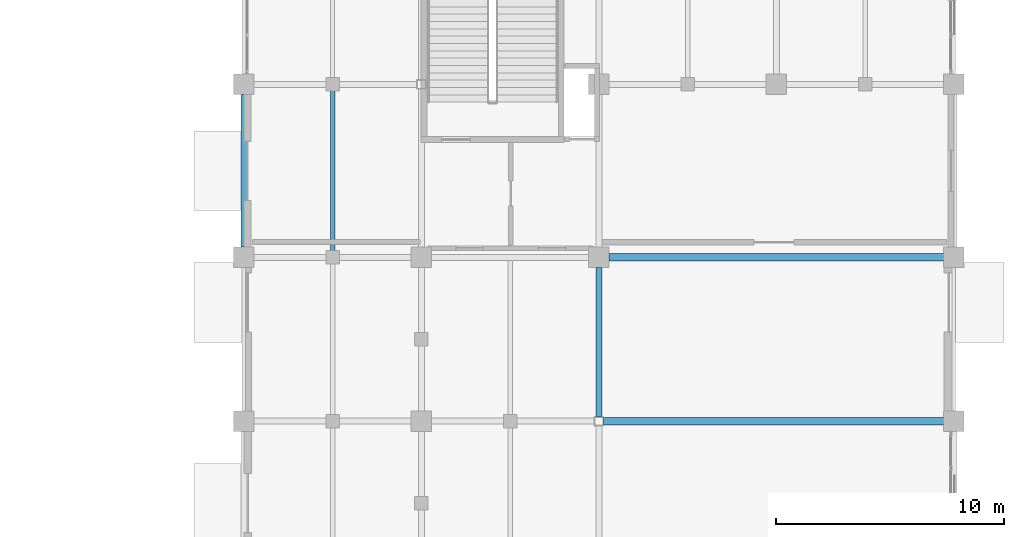
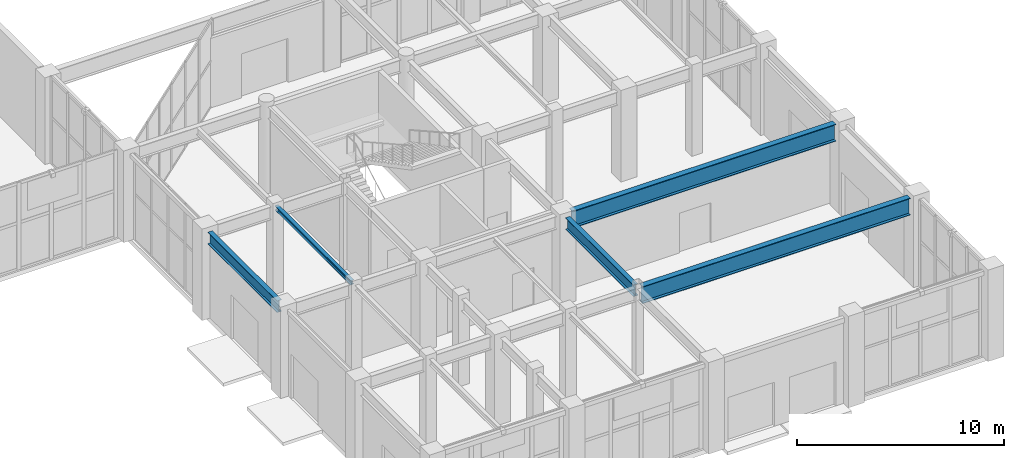
# One storey, part 80 of 139: 5 beams.
"""IFC4 building model written with IfcOpenShell, lengths in metres."""

import ifcopenshell
import ifcopenshell.guid

model = None  # the IFC model being written
_history = None  # IfcOwnerHistory: only IFC2X3 demands one
_inside = {}  # id of a spatial element -> (the spatial element, [elements in it])
_under = {}  # id of a project, library or spatial element -> (it, [spatial elements below it])
_declared = {}  # id of a project -> (the project, [libraries it declares])
_typed = {}  # id of a type object -> (the type object, [elements of that type])
_made_of = {}  # id of a material, layer set ... -> (it, [elements and type objects made of it])


def new_model(schema):
    """Start an empty IFC model of exactly this schema.

    Asked for "IFC4X3", IfcOpenShell would pick the latest addendum, in which some entities
    have other attributes; the version numbers below select the first issue.
    IFC2X3 requires an IfcOwnerHistory on every rooted entity: one is made here for all.
    """
    global model, _history
    if schema == "IFC4X3":
        model = ifcopenshell.file(schema_version=(4, 3, 0, 0))
    else:
        model = ifcopenshell.file(schema=schema)
    _inside.clear()
    _under.clear()
    _declared.clear()
    _typed.clear()
    _made_of.clear()
    _history = None
    if model.schema == "IFC2X3":
        org = make("IfcOrganization", Name="unknown")
        user = make(
            "IfcPersonAndOrganization",
            ThePerson=make("IfcPerson", FamilyName="unknown"),
            TheOrganization=org,
        )
        app = make(
            "IfcApplication",
            ApplicationDeveloper=org,
            Version="unknown",
            ApplicationFullName="unknown",
            ApplicationIdentifier="unknown",
        )
        _history = make(
            "IfcOwnerHistory",
            OwningUser=user,
            OwningApplication=app,
            ChangeAction="ADDED",
            CreationDate=0,
        )
    return model


def make(cls, **values):
    """One entity of the class cls with the attributes given. An attribute that is None is left unset."""
    return model.create_entity(
        cls, **{name: value for name, value in values.items() if value is not None}
    )


def rooted(cls, **values):
    """An entity with a GlobalId (a new one), such as an element, a storey or a relation."""
    return make(cls, GlobalId=ifcopenshell.guid.new(), OwnerHistory=_history, **values)


def si_unit(unit_type, name, prefix=None):
    """IfcSIUnit, for example si_unit("LENGTHUNIT", "METRE", prefix="MILLI")."""
    return make("IfcSIUnit", UnitType=unit_type, Prefix=prefix, Name=name)


def assignment(units):
    """IfcUnitAssignment: the units of a project."""
    return None if units is None else make("IfcUnitAssignment", Units=units)


def point(xyz):
    """IfcCartesianPoint."""
    return None if xyz is None else make("IfcCartesianPoint", Coordinates=xyz)


def direction(xyz):
    """IfcDirection."""
    return None if xyz is None else make("IfcDirection", DirectionRatios=xyz)


def frame(location, z_axis=None, x_axis=None):
    """IfcAxis2Placement3D, a coordinate frame: its origin and axes. An axis left out is left unset."""
    return make(
        "IfcAxis2Placement3D",
        Location=point(location),
        Axis=direction(z_axis),
        RefDirection=direction(x_axis),
    )


def frame_2d(location, x_axis=None):
    """IfcAxis2Placement2D, a coordinate frame in the plane: its origin and x axis."""
    return make(
        "IfcAxis2Placement2D", Location=point(location), RefDirection=direction(x_axis)
    )


def origin():
    """The frame at (0, 0, 0) with its axes left unset."""
    return frame((0.0, 0.0, 0.0))


def origin_2d():
    """The frame at (0, 0) in the plane with its x axis left unset."""
    return frame_2d((0.0, 0.0))


def place(relative_to, where):
    """IfcLocalPlacement: puts the frame where relative to a parent placement (None: the world)."""
    return make(
        "IfcLocalPlacement", PlacementRelTo=relative_to, RelativePlacement=where
    )


def context(
    kind, dimensions, precision=None, world=None, true_north=None, identifier=None
):
    """IfcGeometricRepresentationContext, for example the 3D "Model" context."""
    return make(
        "IfcGeometricRepresentationContext",
        ContextIdentifier=identifier,
        ContextType=kind,
        CoordinateSpaceDimension=dimensions,
        Precision=precision,
        WorldCoordinateSystem=world,
        TrueNorth=true_north,
    )


def subcontext(parent, identifier, kind, view, scale=None):
    """IfcGeometricRepresentationSubContext, for example "Body" below "Model"."""
    return make(
        "IfcGeometricRepresentationSubContext",
        ContextIdentifier=identifier,
        ContextType=kind,
        ParentContext=parent,
        TargetScale=scale,
        TargetView=view,
    )


def project(units=None, contexts=None):
    """IfcProject with its units and contexts."""
    return rooted(
        "IfcProject",
        Name="project",
        RepresentationContexts=contexts,
        UnitsInContext=assignment(units),
    )


def spatial(cls, under=None, at=None, **own):
    """A site, building, storey or space (cls), placed at a placement, below another one or the project."""
    s = rooted(cls, ObjectPlacement=at, **own)
    if under is not None:
        _under.setdefault(under.id(), (under, []))[1].append(s)
    return s


def profile(cls, at=None, kind="AREA", **sizes):
    """A parametric profile (cls). Its sizes go by their IFC names, for example OverallWidth=200.0."""
    return make(cls, ProfileType=kind, Position=at, **sizes)


def i_section(**sizes):
    """IfcIShapeProfileDef."""
    return profile("IfcIShapeProfileDef", **sizes)


def extrude(swept, where, along, depth):
    """IfcExtrudedAreaSolid: the profile swept, set in the frame where, extruded along a direction by depth."""
    return make(
        "IfcExtrudedAreaSolid",
        SweptArea=swept,
        Position=where,
        ExtrudedDirection=direction(along),
        Depth=depth,
    )


def shape(context_of_items, identifier, shape_type, items):
    """IfcShapeRepresentation: the items that make up one representation, for example the "Body"."""
    return make(
        "IfcShapeRepresentation",
        ContextOfItems=context_of_items,
        RepresentationIdentifier=identifier,
        RepresentationType=shape_type,
        Items=items,
    )


def material(Name=None, Category=None):
    """IfcMaterial."""
    return make("IfcMaterial", Name=Name, Category=Category)


def material_profile(
    of_material, cross_section, Name=None, Category=None, Priority=None
):
    """IfcMaterialProfile: a cross section and its material."""
    return make(
        "IfcMaterialProfile",
        Name=Name,
        Material=of_material,
        Profile=cross_section,
        Priority=Priority,
        Category=Category,
    )


def profile_set(profiles, Name=None, composite=None):
    """IfcMaterialProfileSet."""
    return make(
        "IfcMaterialProfileSet",
        Name=Name,
        MaterialProfiles=profiles,
        CompositeProfile=composite,
    )


def made_of(thing, what):
    """Note that an element or type object is made of a material, layer set ...; save() writes the relation."""
    if what is not None:
        _made_of.setdefault(what.id(), (what, []))[1].append(thing)
    return thing


def type_object(cls, material=None, **own):
    """A type object (cls), such as IfcWallType, which elements share."""
    return made_of(rooted(cls, **own), material)


def element(
    cls,
    number,
    at=None,
    inside=None,
    cuts=None,
    type_object=None,
    material=None,
    context=None,
    identifier="Body",
    shape_type=None,
    held_by="IfcProductDefinitionShape",
    body=None,
    shapes=None,
    **own,
):
    """One element of the class cls, such as IfcWall. Its Tag is "e" and its number.

    at: its placement. inside: the storey or other place that contains it. cuts: it is an
    opening in that element (IfcRelVoidsElement). A single representation is given by context,
    identifier, shape_type and body (its items); several are given by shapes. held_by: the class
    of the entity that holds the representations. save() writes the other relations.
    """
    e = rooted(cls, Tag="e%d" % number, ObjectPlacement=at, **own)
    if body is not None:
        shapes = [shape(context, identifier, shape_type, body)]
    if shapes is not None:
        e.Representation = make(held_by, Representations=shapes)
    if inside is not None:
        _inside.setdefault(inside.id(), (inside, []))[1].append(e)
    if cuts is not None:
        rooted(
            "IfcRelVoidsElement", RelatingBuildingElement=cuts, RelatedOpeningElement=e
        )
    if type_object is not None:
        _typed.setdefault(type_object.id(), (type_object, []))[1].append(e)
    return made_of(e, material)


def aggregate(whole, parts):
    """IfcRelAggregates: a whole, such as a stair, and the parts it consists of."""
    return rooted("IfcRelAggregates", RelatingObject=whole, RelatedObjects=parts)


def save(model, path):
    """Write the relations noted so far, then the file.

    IfcRelAggregates (storeys below a building ...), IfcRelContainedInSpatialStructure (elements
    in a storey), IfcRelDefinesByType, IfcRelAssociatesMaterial and IfcRelDeclares: one each for
    every whole, place, type object, material and project.
    """
    for whole, parts in _under.values():
        aggregate(whole, parts)
    for where, things in _inside.values():
        rooted(
            "IfcRelContainedInSpatialStructure",
            RelatedElements=things,
            RelatingStructure=where,
        )
    for kind, things in _typed.values():
        rooted("IfcRelDefinesByType", RelatedObjects=things, RelatingType=kind)
    for what, things in _made_of.values():
        rooted("IfcRelAssociatesMaterial", RelatedObjects=things, RelatingMaterial=what)
    for by, libraries in _declared.values():
        rooted("IfcRelDeclares", RelatingContext=by, RelatedDefinitions=libraries)
    model.write(path)


model = new_model("IFC4")

# Units and contexts
model_context = context("Model", 3, precision=1e-05, world=origin(), true_north=direction((0.0, 1.0)))
body_context = subcontext(model_context, "Body", "Model", "MODEL_VIEW")
ifc_project = project(units=[si_unit("LENGTHUNIT", "METRE"), si_unit("AREAUNIT", "SQUARE_METRE"), si_unit("VOLUMEUNIT", "CUBIC_METRE"), si_unit("PLANEANGLEUNIT", "RADIAN"), si_unit("MASSUNIT", "GRAM", prefix="KILO")], contexts=[model_context])

# Site, building, storey
site_placement = place(None, origin())
site = spatial("IfcSite", under=ifc_project, at=site_placement, CompositionType="ELEMENT")
building_placement = place(site_placement, origin())
building = spatial("IfcBuilding", under=site, at=building_placement, Name="Xicomal Pleat Aquarium", CompositionType="ELEMENT")
storey_placement = place(building_placement, origin())
storey = spatial("IfcBuildingStorey", under=building, at=storey_placement, Name="L01", CompositionType="ELEMENT", Elevation=0.0)

# Beams
ifc_material_1 = material(Name="Structural steel A992 Gr 50", Category="steel")
ifc_material_profile_1 = material_profile(ifc_material_1, i_section(OverallWidth=0.320068359375, OverallDepth=1.008056640625, WebThickness=0.01953125, FlangeThickness=0.033935546875, at=origin_2d()), Name="IR 1000x321")
ifc_profile_set_1 = profile_set([ifc_material_profile_1], Name="Structural steel A992 Gr 50")
beam_type_1 = type_object("IfcBeamType", Name="BM-STL-IR1000", PredefinedType="BEAM", material=ifc_profile_set_1)
beam_1_placement = place(storey_placement, frame((149.594970703125, 8.0, 4.615966796875), z_axis=(1.0, 0.0, 0.0), x_axis=(0.0, 1.0, 0.0)))
element("IfcBeam", 1, at=beam_1_placement, inside=storey, type_object=beam_type_1, Name="L01 framing beam FGX-L01-19-21-B", PredefinedType="BEAM", context=body_context, shape_type="SweptSolid", body=[
    extrude(i_section(OverallWidth=0.320068359375, OverallDepth=1.008056640625, WebThickness=0.01953125, FlangeThickness=0.033935546875, at=origin_2d()), origin(), (0.0, 0.0, 1.0), 14.9599609375),
])
beam_2_placement = place(storey_placement, frame((149.844970703125, 15.199951171875, 4.615966796875), z_axis=(1.0, 0.0, 0.0), x_axis=(0.0, 1.0, 0.0)))
element("IfcBeam", 2, at=beam_2_placement, inside=storey, type_object=beam_type_1, Name="L01 framing beam FGX-L01-19-21-C", PredefinedType="BEAM", context=body_context, shape_type="SweptSolid", body=[
    extrude(i_section(OverallWidth=0.320068359375, OverallDepth=1.008056640625, WebThickness=0.01953125, FlangeThickness=0.033935546875, at=origin_2d()), origin(), (0.0, 0.0, 1.0), 14.7099609375),
])
ifc_material_2 = material(Name="Structural steel A992 Gr 50", Category="steel")
ifc_material_profile_2 = material_profile(ifc_material_2, i_section(OverallWidth=0.201904296875, OverallDepth=0.2470703125, WebThickness=0.00732421875, FlangeThickness=0.010986328125, at=origin_2d()), Name="IR 250x49")
ifc_profile_set_2 = profile_set([ifc_material_profile_2], Name="Structural steel A992 Gr 50")
beam_type_2 = type_object("IfcBeamType", Name="BM-STL-IR250", PredefinedType="JOIST", material=ifc_profile_set_2)
beam_3_placement = place(storey_placement, frame((137.699951171875, 15.3369140625, 4.99658203125), z_axis=(0.0, 1.0, 0.0), x_axis=(-1.0, 0.0, 0.0)))
element("IfcBeam", 3, at=beam_3_placement, inside=storey, type_object=beam_type_2, Name="L01 framing beam FBJ-L01-17-C-1", PredefinedType="JOIST", context=body_context, shape_type="SweptSolid", body=[
    extrude(i_section(OverallWidth=0.201904296875, OverallDepth=0.2470703125, WebThickness=0.00732421875, FlangeThickness=0.010986328125, at=origin_2d()), origin(), (0.0, 0.0, 1.0), 7.326171875),
])
ifc_material_3 = material(Name="Structural steel A992 Gr 50", Category="steel")
ifc_material_profile_3 = material_profile(ifc_material_3, i_section(OverallWidth=0.256103515625, OverallDepth=0.693115234375, WebThickness=0.014404296875, FlangeThickness=0.023681640625, at=origin_2d()), Name="IR 690x170")
ifc_profile_set_3 = profile_set([ifc_material_profile_3], Name="Structural steel A992 Gr 50")
beam_type_3 = type_object("IfcBeamType", Name="BM-STL-IR690", PredefinedType="BEAM", material=ifc_profile_set_3)
beam_4_placement = place(storey_placement, frame((133.800048828125, 15.64501953125, 4.7734375), z_axis=(0.0, 1.0, 0.0), x_axis=(-1.0, 0.0, 0.0)))
element("IfcBeam", 4, at=beam_4_placement, inside=storey, type_object=beam_type_3, Name="L01 framing beam FGY-L01-17-C-D", PredefinedType="BEAM", context=body_context, shape_type="SweptSolid", body=[
    extrude(i_section(OverallWidth=0.256103515625, OverallDepth=0.693115234375, WebThickness=0.014404296875, FlangeThickness=0.023681640625, at=origin_2d()), origin(), (0.0, 0.0, 1.0), 6.7099609375),
])
beam_5_placement = place(storey_placement, frame((149.39990234375, 8.195068359375, 4.7734375), z_axis=(0.0, 1.0, 0.0), x_axis=(-1.0, 0.0, 0.0)))
element("IfcBeam", 5, at=beam_5_placement, inside=storey, type_object=beam_type_3, Name="L01 framing beam FGY-L01-19-B-C", PredefinedType="BEAM", context=body_context, shape_type="SweptSolid", body=[
    extrude(i_section(OverallWidth=0.256103515625, OverallDepth=0.693115234375, WebThickness=0.014404296875, FlangeThickness=0.023681640625, at=origin_2d()), origin(), (0.0, 0.0, 1.0), 6.559814453125),
])

save(model, "model.ifc")
